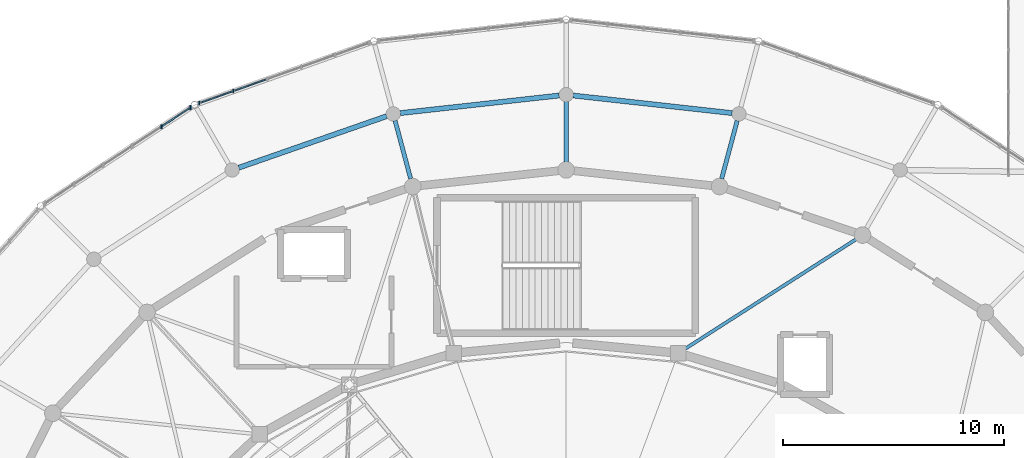
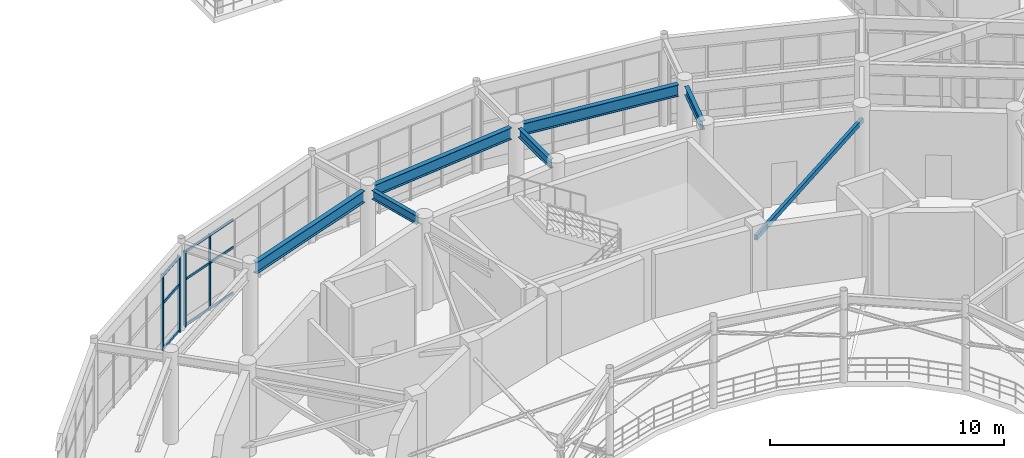
# One storey, part 42 of 144: 14 members, 6 beams, 2 elements without a shape of their own.
"""IFC4 building model written with IfcOpenShell, lengths in metres."""

import ifcopenshell
import ifcopenshell.guid

model = None  # the IFC model being written
_history = None  # IfcOwnerHistory: only IFC2X3 demands one
_inside = {}  # id of a spatial element -> (the spatial element, [elements in it])
_under = {}  # id of a project, library or spatial element -> (it, [spatial elements below it])
_declared = {}  # id of a project -> (the project, [libraries it declares])
_typed = {}  # id of a type object -> (the type object, [elements of that type])
_made_of = {}  # id of a material, layer set ... -> (it, [elements and type objects made of it])


def new_model(schema):
    """Start an empty IFC model of exactly this schema.

    Asked for "IFC4X3", IfcOpenShell would pick the latest addendum, in which some entities
    have other attributes; the version numbers below select the first issue.
    IFC2X3 requires an IfcOwnerHistory on every rooted entity: one is made here for all.
    """
    global model, _history
    if schema == "IFC4X3":
        model = ifcopenshell.file(schema_version=(4, 3, 0, 0))
    else:
        model = ifcopenshell.file(schema=schema)
    _inside.clear()
    _under.clear()
    _declared.clear()
    _typed.clear()
    _made_of.clear()
    _history = None
    if model.schema == "IFC2X3":
        org = make("IfcOrganization", Name="unknown")
        user = make(
            "IfcPersonAndOrganization",
            ThePerson=make("IfcPerson", FamilyName="unknown"),
            TheOrganization=org,
        )
        app = make(
            "IfcApplication",
            ApplicationDeveloper=org,
            Version="unknown",
            ApplicationFullName="unknown",
            ApplicationIdentifier="unknown",
        )
        _history = make(
            "IfcOwnerHistory",
            OwningUser=user,
            OwningApplication=app,
            ChangeAction="ADDED",
            CreationDate=0,
        )
    return model


def make(cls, **values):
    """One entity of the class cls with the attributes given. An attribute that is None is left unset."""
    return model.create_entity(
        cls, **{name: value for name, value in values.items() if value is not None}
    )


def rooted(cls, **values):
    """An entity with a GlobalId (a new one), such as an element, a storey or a relation."""
    return make(cls, GlobalId=ifcopenshell.guid.new(), OwnerHistory=_history, **values)


def si_unit(unit_type, name, prefix=None):
    """IfcSIUnit, for example si_unit("LENGTHUNIT", "METRE", prefix="MILLI")."""
    return make("IfcSIUnit", UnitType=unit_type, Prefix=prefix, Name=name)


def assignment(units):
    """IfcUnitAssignment: the units of a project."""
    return None if units is None else make("IfcUnitAssignment", Units=units)


def point(xyz):
    """IfcCartesianPoint."""
    return None if xyz is None else make("IfcCartesianPoint", Coordinates=xyz)


def direction(xyz):
    """IfcDirection."""
    return None if xyz is None else make("IfcDirection", DirectionRatios=xyz)


def frame(location, z_axis=None, x_axis=None):
    """IfcAxis2Placement3D, a coordinate frame: its origin and axes. An axis left out is left unset."""
    return make(
        "IfcAxis2Placement3D",
        Location=point(location),
        Axis=direction(z_axis),
        RefDirection=direction(x_axis),
    )


def frame_2d(location, x_axis=None):
    """IfcAxis2Placement2D, a coordinate frame in the plane: its origin and x axis."""
    return make(
        "IfcAxis2Placement2D", Location=point(location), RefDirection=direction(x_axis)
    )


def origin():
    """The frame at (0, 0, 0) with its axes left unset."""
    return frame((0.0, 0.0, 0.0))


def origin_2d():
    """The frame at (0, 0) in the plane with its x axis left unset."""
    return frame_2d((0.0, 0.0))


def place(relative_to, where):
    """IfcLocalPlacement: puts the frame where relative to a parent placement (None: the world)."""
    return make(
        "IfcLocalPlacement", PlacementRelTo=relative_to, RelativePlacement=where
    )


def context(
    kind, dimensions, precision=None, world=None, true_north=None, identifier=None
):
    """IfcGeometricRepresentationContext, for example the 3D "Model" context."""
    return make(
        "IfcGeometricRepresentationContext",
        ContextIdentifier=identifier,
        ContextType=kind,
        CoordinateSpaceDimension=dimensions,
        Precision=precision,
        WorldCoordinateSystem=world,
        TrueNorth=true_north,
    )


def subcontext(parent, identifier, kind, view, scale=None):
    """IfcGeometricRepresentationSubContext, for example "Body" below "Model"."""
    return make(
        "IfcGeometricRepresentationSubContext",
        ContextIdentifier=identifier,
        ContextType=kind,
        ParentContext=parent,
        TargetScale=scale,
        TargetView=view,
    )


def project(units=None, contexts=None):
    """IfcProject with its units and contexts."""
    return rooted(
        "IfcProject",
        Name="project",
        RepresentationContexts=contexts,
        UnitsInContext=assignment(units),
    )


def spatial(cls, under=None, at=None, **own):
    """A site, building, storey or space (cls), placed at a placement, below another one or the project."""
    s = rooted(cls, ObjectPlacement=at, **own)
    if under is not None:
        _under.setdefault(under.id(), (under, []))[1].append(s)
    return s


def profile(cls, at=None, kind="AREA", **sizes):
    """A parametric profile (cls). Its sizes go by their IFC names, for example OverallWidth=200.0."""
    return make(cls, ProfileType=kind, Position=at, **sizes)


def rectangle(**sizes):
    """IfcRectangleProfileDef."""
    return profile("IfcRectangleProfileDef", **sizes)


def hollow_rectangle(**sizes):
    """IfcRectangleHollowProfileDef."""
    return profile("IfcRectangleHollowProfileDef", **sizes)


def i_section(**sizes):
    """IfcIShapeProfileDef."""
    return profile("IfcIShapeProfileDef", **sizes)


def extrude(swept, where, along, depth):
    """IfcExtrudedAreaSolid: the profile swept, set in the frame where, extruded along a direction by depth."""
    return make(
        "IfcExtrudedAreaSolid",
        SweptArea=swept,
        Position=where,
        ExtrudedDirection=direction(along),
        Depth=depth,
    )


def shape(context_of_items, identifier, shape_type, items):
    """IfcShapeRepresentation: the items that make up one representation, for example the "Body"."""
    return make(
        "IfcShapeRepresentation",
        ContextOfItems=context_of_items,
        RepresentationIdentifier=identifier,
        RepresentationType=shape_type,
        Items=items,
    )


def material(Name=None, Category=None):
    """IfcMaterial."""
    return make("IfcMaterial", Name=Name, Category=Category)


def material_profile(
    of_material, cross_section, Name=None, Category=None, Priority=None
):
    """IfcMaterialProfile: a cross section and its material."""
    return make(
        "IfcMaterialProfile",
        Name=Name,
        Material=of_material,
        Profile=cross_section,
        Priority=Priority,
        Category=Category,
    )


def profile_set(profiles, Name=None, composite=None):
    """IfcMaterialProfileSet."""
    return make(
        "IfcMaterialProfileSet",
        Name=Name,
        MaterialProfiles=profiles,
        CompositeProfile=composite,
    )


def made_of(thing, what):
    """Note that an element or type object is made of a material, layer set ...; save() writes the relation."""
    if what is not None:
        _made_of.setdefault(what.id(), (what, []))[1].append(thing)
    return thing


def type_object(cls, material=None, **own):
    """A type object (cls), such as IfcWallType, which elements share."""
    return made_of(rooted(cls, **own), material)


def element(
    cls,
    number,
    at=None,
    inside=None,
    cuts=None,
    type_object=None,
    material=None,
    context=None,
    identifier="Body",
    shape_type=None,
    held_by="IfcProductDefinitionShape",
    body=None,
    shapes=None,
    **own,
):
    """One element of the class cls, such as IfcWall. Its Tag is "e" and its number.

    at: its placement. inside: the storey or other place that contains it. cuts: it is an
    opening in that element (IfcRelVoidsElement). A single representation is given by context,
    identifier, shape_type and body (its items); several are given by shapes. held_by: the class
    of the entity that holds the representations. save() writes the other relations.
    """
    e = rooted(cls, Tag="e%d" % number, ObjectPlacement=at, **own)
    if body is not None:
        shapes = [shape(context, identifier, shape_type, body)]
    if shapes is not None:
        e.Representation = make(held_by, Representations=shapes)
    if inside is not None:
        _inside.setdefault(inside.id(), (inside, []))[1].append(e)
    if cuts is not None:
        rooted(
            "IfcRelVoidsElement", RelatingBuildingElement=cuts, RelatedOpeningElement=e
        )
    if type_object is not None:
        _typed.setdefault(type_object.id(), (type_object, []))[1].append(e)
    return made_of(e, material)


def aggregate(whole, parts):
    """IfcRelAggregates: a whole, such as a stair, and the parts it consists of."""
    return rooted("IfcRelAggregates", RelatingObject=whole, RelatedObjects=parts)


def save(model, path):
    """Write the relations noted so far, then the file.

    IfcRelAggregates (storeys below a building ...), IfcRelContainedInSpatialStructure (elements
    in a storey), IfcRelDefinesByType, IfcRelAssociatesMaterial and IfcRelDeclares: one each for
    every whole, place, type object, material and project.
    """
    for whole, parts in _under.values():
        aggregate(whole, parts)
    for where, things in _inside.values():
        rooted(
            "IfcRelContainedInSpatialStructure",
            RelatedElements=things,
            RelatingStructure=where,
        )
    for kind, things in _typed.values():
        rooted("IfcRelDefinesByType", RelatedObjects=things, RelatingType=kind)
    for what, things in _made_of.values():
        rooted("IfcRelAssociatesMaterial", RelatedObjects=things, RelatingMaterial=what)
    for by, libraries in _declared.values():
        rooted("IfcRelDeclares", RelatingContext=by, RelatedDefinitions=libraries)
    model.write(path)


model = new_model("IFC4")

# Units and contexts
model_context = context("Model", 3, precision=1e-05, world=origin(), true_north=direction((0.0, 1.0)))
body_context = subcontext(model_context, "Body", "Model", "MODEL_VIEW")
ifc_project = project(units=[si_unit("LENGTHUNIT", "METRE"), si_unit("AREAUNIT", "SQUARE_METRE"), si_unit("VOLUMEUNIT", "CUBIC_METRE"), si_unit("PLANEANGLEUNIT", "RADIAN"), si_unit("MASSUNIT", "GRAM", prefix="KILO")], contexts=[model_context])

# Site, building, storey
site_placement = place(None, origin())
site = spatial("IfcSite", under=ifc_project, at=site_placement, CompositionType="ELEMENT")
building_placement = place(site_placement, origin())
building = spatial("IfcBuilding", under=site, at=building_placement, Name="Cinderbank Siding Concert Hall", CompositionType="ELEMENT")
storey_placement = place(building_placement, frame((0.0, 0.0, 5.39990234375)))
storey = spatial("IfcBuildingStorey", under=building, at=storey_placement, Name="L02", CompositionType="ELEMENT", Elevation=5.39990234375)

# Beams
ifc_material_1 = material(Name="Structural steel AS/NZS 3679.1 Grade 350 (340 MPa)", Category="steel")
ifc_material_profile_1 = material_profile(ifc_material_1, i_section(OverallWidth=0.19091796875, OverallDepth=0.46044921875, WebThickness=0.010009765625, FlangeThickness=0.01611328125, at=origin_2d()), Name="460UB82.1", Category="LoadBearing")
ifc_profile_set_1 = profile_set([ifc_material_profile_1], Name="Structural steel AS/NZS 3679.1 Grade 350 (340 MPa)")
beam_type_1 = type_object("IfcBeamType", Name="BM-UB460H 460UB82.1", PredefinedType="BEAM", material=ifc_profile_set_1)
beam_1_placement = place(storey_placement, frame((129.031494140625, 65.60498046875, 4.2919921875), z_axis=(0.258809477387, 0.9659283899, 0.0), x_axis=(-0.9659283899, 0.258809477387, 0.0)))
element("IfcBeam", 1, at=beam_1_placement, inside=storey, type_object=beam_type_1, Name="L02 Beam BM-UB460H #503", PredefinedType="BEAM", context=body_context, shape_type="SweptSolid", body=[
    extrude(i_section(OverallWidth=0.19091796875, OverallDepth=0.46044921875, WebThickness=0.010009765625, FlangeThickness=0.01611328125, at=origin_2d()), origin(), (0.0, 0.0, 1.0), 2.7158203125),
])
beam_2_placement = place(storey_placement, frame((122.0, 66.366943359375, 4.2919921875), z_axis=(0.0, 1.0, 0.0), x_axis=(-1.0, 0.0, 0.0)))
element("IfcBeam", 2, at=beam_2_placement, inside=storey, type_object=beam_type_1, Name="L02 Beam BM-UB460H #504", PredefinedType="BEAM", context=body_context, shape_type="SweptSolid", body=[
    extrude(i_section(OverallWidth=0.19091796875, OverallDepth=0.46044921875, WebThickness=0.010009765625, FlangeThickness=0.01611328125, at=origin_2d()), origin(), (0.0, 0.0, 1.0), 2.716064453125),
])
beam_3_placement = place(storey_placement, frame((114.968505859375, 65.60498046875, 4.2919921875), z_axis=(-0.258809477387, 0.9659283899, 0.0), x_axis=(-0.9659283899, -0.258809477387, 0.0)))
element("IfcBeam", 3, at=beam_3_placement, inside=storey, type_object=beam_type_1, Name="L02 Beam BM-UB460H #505", PredefinedType="BEAM", context=body_context, shape_type="SweptSolid", body=[
    extrude(i_section(OverallWidth=0.19091796875, OverallDepth=0.46044921875, WebThickness=0.010009765625, FlangeThickness=0.01611328125, at=origin_2d()), origin(), (0.0, 0.0, 1.0), 2.7158203125),
])
ifc_material_profile_2 = material_profile(ifc_material_1, i_section(OverallWidth=0.22802734375, OverallDepth=0.60693359375, WebThickness=0.01123046875, FlangeThickness=0.017333984375, at=origin_2d()), Name="610UB113", Category="LoadBearing")
ifc_profile_set_2 = profile_set([ifc_material_profile_2], Name="Structural steel AS/NZS 3679.1 Grade 350 (340 MPa)")
beam_type_2 = type_object("IfcBeamType", Name="BM-UB610M 610UB113", PredefinedType="BEAM", material=ifc_profile_set_2)
for number, where, z_axis, x_axis, name in (
    (4, (129.501220703125, 68.5693359375, 4.218505859375), (-0.993926077211, 0.110049775281, 0.0), (-0.110049775281, -0.993926077211, 0.0), "L02 Beam BM-UB610M #445"),
    (5, (121.684814453125, 69.364990234375, 4.218505859375), (-0.993926077211, -0.110049775281, 0.0), (0.110049775281, -0.993926077211, 0.0), "L02 Beam BM-UB610M #446"),
):
    element("IfcBeam", number, at=place(storey_placement, frame(where, z_axis=z_axis, x_axis=x_axis)), inside=storey, type_object=beam_type_2, Name=name, PredefinedType="BEAM", context=body_context, shape_type="SweptSolid", body=[
        extrude(i_section(OverallWidth=0.22802734375, OverallDepth=0.60693359375, WebThickness=0.01123046875, FlangeThickness=0.017333984375, at=origin_2d()), origin(), (0.0, 0.0, 1.0), 7.22998046875),
    ])
beam_4_placement = place(storey_placement, frame((113.88427734375, 68.43017578125, 4.218505859375), z_axis=(-0.944334299593, -0.328987432301, 0.0), x_axis=(0.328987432301, -0.944334299593, 0.0)))
element("IfcBeam", 6, at=beam_4_placement, inside=storey, type_object=beam_type_2, Name="L02 Beam BM-UB610M #447", PredefinedType="BEAM", context=body_context, shape_type="SweptSolid", body=[
    extrude(i_section(OverallWidth=0.22802734375, OverallDepth=0.60693359375, WebThickness=0.01123046875, FlangeThickness=0.017333984375, at=origin_2d()), origin(), (0.0, 0.0, 1.0), 7.078857421875),
])

# Curtain wall, members
ifc_material_2 = material(Name="Anodised aluminium alloy 6063-T6", Category="aluminium")
curtain_wall_type_1 = type_object("IfcCurtainWallType", Name="CW-08 Unitised Acoustic Curtain Wall 6400x3800", PredefinedType="NOTDEFINED", material=ifc_material_2)
curtain_wall_1_placement = place(storey_placement, origin())
curtain_wall_1 = element("IfcCurtainWall", 7, at=curtain_wall_1_placement, inside=storey, type_object=curtain_wall_type_1, Name="L02 Curtain Wall CW-08 #8", PredefinedType="NOTDEFINED")
ifc_material_profile_3 = material_profile(ifc_material_2, rectangle(XDim=0.06005859375, YDim=0.159912109375, at=origin_2d()), Name="ALU-MULL-60x160", Category="LoadBearing")
ifc_profile_set_3 = profile_set([ifc_material_profile_3], Name="Anodised aluminium alloy 6063-T6")
member_type_1 = type_object("IfcMemberType", Name="CW-ML1 Mullion 60x160", PredefinedType="MULLION", material=ifc_profile_set_3)
member_1_placement = place(storey_placement, frame((106.94921875, 69.5625, 0.0), z_axis=(0.0, 0.0, 1.0), x_axis=(1.0, 0.0, 0.0)))
member_1 = element("IfcMember", 8, at=member_1_placement, type_object=member_type_1, Name="CW-L02-008 Mullion 4", PredefinedType="MULLION", context=body_context, shape_type="SweptSolid", body=[
    extrude(rectangle(XDim=0.06005859375, YDim=0.159912109375, at=origin_2d()), origin(), (0.0, 0.0, 1.0), 3.947021484375),
])
member_2_placement = place(storey_placement, frame((105.413818359375, 69.017333984375, 0.0), z_axis=(0.0, 0.0, 1.0), x_axis=(1.0, 0.0, 0.0)))
member_2 = element("IfcMember", 9, at=member_2_placement, type_object=member_type_1, Name="CW-L02-008 Mullion 5", PredefinedType="MULLION", context=body_context, shape_type="SweptSolid", body=[
    extrude(rectangle(XDim=0.06005859375, YDim=0.159912109375, at=origin_2d()), origin(), (0.0, 0.0, 1.0), 3.947021484375),
])

curtain_wall_type_2 = type_object("IfcCurtainWallType", Name="CW-09 Unitised Acoustic Curtain Wall 8000x3500", PredefinedType="NOTDEFINED", material=ifc_material_2)
curtain_wall_2_placement = place(storey_placement, origin())
curtain_wall_2 = element("IfcCurtainWall", 10, at=curtain_wall_2_placement, inside=storey, type_object=curtain_wall_type_2, Name="L02 Curtain Wall CW-09 #9", PredefinedType="NOTDEFINED")
ifc_material_profile_4 = material_profile(ifc_material_2, rectangle(XDim=0.06494140625, YDim=0.199951171875, at=origin_2d()), Name="ALU-MULL-65x200", Category="LoadBearing")
ifc_profile_set_4 = profile_set([ifc_material_profile_4], Name="Anodised aluminium alloy 6063-T6")
member_type_2 = type_object("IfcMemberType", Name="CW-ML2 Mullion 65x200", PredefinedType="MULLION", material=ifc_profile_set_4)
member_3_placement = place(storey_placement, frame((105.010498046875, 68.81689453125, 0.0), z_axis=(0.0, 0.0, 1.0), x_axis=(1.0, 0.0, 0.0)))
member_3 = element("IfcMember", 11, at=member_3_placement, type_object=member_type_2, Name="CW-L02-009 Mullion 0", PredefinedType="MULLION", context=body_context, shape_type="SweptSolid", body=[
    extrude(rectangle(XDim=0.06494140625, YDim=0.199951171875, at=origin_2d()), origin(), (0.0, 0.0, 1.0), 3.947021484375),
])
member_4_placement = place(storey_placement, frame((103.694580078125, 67.951416015625, 0.0), z_axis=(0.0, 0.0, 1.0), x_axis=(1.0, 0.0, 0.0)))
member_4 = element("IfcMember", 12, at=member_4_placement, type_object=member_type_2, Name="CW-L02-009 Mullion 1", PredefinedType="MULLION", context=body_context, shape_type="SweptSolid", body=[
    extrude(rectangle(XDim=0.06494140625, YDim=0.199951171875, at=origin_2d()), origin(), (0.0, 0.0, 1.0), 3.947021484375),
])

# Member
ifc_material_profile_5 = material_profile(ifc_material_2, rectangle(XDim=0.06005859375, YDim=0.1201171875, at=origin_2d()), Name="ALU-TRAN-60x120", Category="LoadBearing")
ifc_profile_set_5 = profile_set([ifc_material_profile_5], Name="Anodised aluminium alloy 6063-T6")
member_type_3 = type_object("IfcMemberType", Name="CW-TR1 Transom 60x120", PredefinedType="USERDEFINED", material=ifc_profile_set_5)
member_5_placement = place(storey_placement, frame((108.407470703125, 70.080322265625, 0.06005859375), z_axis=(-0.942376945381, -0.334552974602, 0.0), x_axis=(0.334552974602, -0.942376945381, 0.0)))
member_5 = element("IfcMember", 13, at=member_5_placement, type_object=member_type_3, Name="CW-L02-008 Transom 3-0", ObjectType="TRANSOM", PredefinedType="USERDEFINED", context=body_context, shape_type="SweptSolid", body=[
    extrude(rectangle(XDim=0.06005859375, YDim=0.1201171875, at=origin_2d()), origin(), (0.0, 0.0, 1.0), 1.466064453125),
])

member_6_placement = place(storey_placement, frame((108.407470703125, 70.080322265625, 2.447265625), z_axis=(-0.942376945381, -0.334552974602, 0.0), x_axis=(0.334552974602, -0.942376945381, 0.0)))
member_6 = element("IfcMember", 14, at=member_6_placement, type_object=member_type_3, Name="CW-L02-008 Transom 3-1", ObjectType="TRANSOM", PredefinedType="USERDEFINED", context=body_context, shape_type="SweptSolid", body=[
    extrude(rectangle(XDim=0.06005859375, YDim=0.1201171875, at=origin_2d()), origin(), (0.0, 0.0, 1.0), 1.466064453125),
])

member_7_placement = place(storey_placement, frame((108.407470703125, 70.080322265625, 3.88720703125), z_axis=(-0.942376945381, -0.334552974602, 0.0), x_axis=(0.334552974602, -0.942376945381, 0.0)))
member_7 = element("IfcMember", 15, at=member_7_placement, type_object=member_type_3, Name="CW-L02-008 Transom 3-2", ObjectType="TRANSOM", PredefinedType="USERDEFINED", context=body_context, shape_type="SweptSolid", body=[
    extrude(rectangle(XDim=0.06005859375, YDim=0.1201171875, at=origin_2d()), origin(), (0.0, 0.0, 1.0), 1.466064453125),
])

member_8_placement = place(storey_placement, frame((106.872314453125, 69.53515625, 0.06005859375), z_axis=(-0.942395579657, -0.334500480482, 0.0), x_axis=(0.334500480482, -0.942395579657, 0.0)))
member_8 = element("IfcMember", 16, at=member_8_placement, type_object=member_type_3, Name="CW-L02-008 Transom 4-0", ObjectType="TRANSOM", PredefinedType="USERDEFINED", context=body_context, shape_type="SweptSolid", body=[
    extrude(rectangle(XDim=0.06005859375, YDim=0.1201171875, at=origin_2d()), origin(), (0.0, 0.0, 1.0), 1.46630859375),
])

member_9_placement = place(storey_placement, frame((106.872314453125, 69.53515625, 2.447265625), z_axis=(-0.942395579657, -0.334500480482, 0.0), x_axis=(0.334500480482, -0.942395579657, 0.0)))
member_9 = element("IfcMember", 17, at=member_9_placement, type_object=member_type_3, Name="CW-L02-008 Transom 4-1", ObjectType="TRANSOM", PredefinedType="USERDEFINED", context=body_context, shape_type="SweptSolid", body=[
    extrude(rectangle(XDim=0.06005859375, YDim=0.1201171875, at=origin_2d()), origin(), (0.0, 0.0, 1.0), 1.46630859375),
])

member_10_placement = place(storey_placement, frame((106.872314453125, 69.53515625, 3.88720703125), z_axis=(-0.942395579657, -0.334500480482, 0.0), x_axis=(0.334500480482, -0.942395579657, 0.0)))
member_10 = element("IfcMember", 18, at=member_10_placement, type_object=member_type_3, Name="CW-L02-008 Transom 4-2", ObjectType="TRANSOM", PredefinedType="USERDEFINED", context=body_context, shape_type="SweptSolid", body=[
    extrude(rectangle(XDim=0.06005859375, YDim=0.1201171875, at=origin_2d()), origin(), (0.0, 0.0, 1.0), 1.46630859375),
])

aggregate(curtain_wall_1, [member_1, member_2, member_5, member_6, member_7, member_8, member_9, member_10])

ifc_material_profile_6 = material_profile(ifc_material_2, rectangle(XDim=0.06494140625, YDim=0.14990234375, at=origin_2d()), Name="ALU-TRAN-65x150", Category="LoadBearing")
ifc_profile_set_6 = profile_set([ifc_material_profile_6], Name="Anodised aluminium alloy 6063-T6")
member_type_4 = type_object("IfcMemberType", Name="CW-TR2 Transom 65x150", PredefinedType="USERDEFINED", material=ifc_profile_set_6)
member_11_placement = place(storey_placement, frame((104.944580078125, 68.7734375, 0.06005859375), z_axis=(-0.835531529407, -0.549442502331, 0.0), x_axis=(0.549442502331, -0.835531529407, 0.0)))
member_11 = element("IfcMember", 19, at=member_11_placement, type_object=member_type_4, Name="CW-L02-009 Transom 0-0", ObjectType="TRANSOM", PredefinedType="USERDEFINED", context=body_context, shape_type="SweptSolid", body=[
    extrude(rectangle(XDim=0.06494140625, YDim=0.14990234375, at=origin_2d()), origin(), (0.0, 0.0, 1.0), 1.41748046875),
])

member_12_placement = place(storey_placement, frame((104.944580078125, 68.7734375, 2.447265625), z_axis=(-0.835531529407, -0.549442502331, 0.0), x_axis=(0.549442502331, -0.835531529407, 0.0)))
member_12 = element("IfcMember", 20, at=member_12_placement, type_object=member_type_4, Name="CW-L02-009 Transom 0-1", ObjectType="TRANSOM", PredefinedType="USERDEFINED", context=body_context, shape_type="SweptSolid", body=[
    extrude(rectangle(XDim=0.06494140625, YDim=0.14990234375, at=origin_2d()), origin(), (0.0, 0.0, 1.0), 1.41748046875),
])

member_13_placement = place(storey_placement, frame((104.944580078125, 68.7734375, 3.88720703125), z_axis=(-0.835531529407, -0.549442502331, 0.0), x_axis=(0.549442502331, -0.835531529407, 0.0)))
member_13 = element("IfcMember", 21, at=member_13_placement, type_object=member_type_4, Name="CW-L02-009 Transom 0-2", ObjectType="TRANSOM", PredefinedType="USERDEFINED", context=body_context, shape_type="SweptSolid", body=[
    extrude(rectangle(XDim=0.06494140625, YDim=0.14990234375, at=origin_2d()), origin(), (0.0, 0.0, 1.0), 1.41748046875),
])

aggregate(curtain_wall_2, [member_3, member_4, member_11, member_12, member_13])

ifc_material_3 = material(Name="Structural steel hollow section AS/NZS 1163 Grade C350L0 (350 MPa)", Category="steel")
ifc_material_profile_7 = material_profile(ifc_material_3, hollow_rectangle(XDim=0.14990234375, YDim=0.25, WallThickness=0.009033203125, at=origin_2d()), Name="250x150x9.0RHS", Category="LoadBearing")
ifc_profile_set_7 = profile_set([ifc_material_profile_7], Name="Structural steel hollow section AS/NZS 1163 Grade C350L0 (350 MPa)")
member_type_5 = type_object("IfcMemberType", Name="TR-RHS250 250x150x9.0RHS Roof Truss", PredefinedType="RAFTER", material=ifc_profile_set_7)
member_14_placement = place(storey_placement, frame((127.072998046875, 57.716064453125, 3.900146484375), z_axis=(0.841940386591, 0.539570556487, 0.0), x_axis=(-0.539570556487, 0.841940386591, 0.0)))
element("IfcMember", 22, at=member_14_placement, inside=storey, type_object=member_type_5, Name="L02 Roof Truss Member TR-RHS250 #2212", PredefinedType="RAFTER", context=body_context, shape_type="SweptSolid", body=[
    extrude(hollow_rectangle(XDim=0.14990234375, YDim=0.25, WallThickness=0.009033203125, at=origin_2d()), origin(), (0.0, 0.0, 1.0), 9.89013671875),
])

save(model, "model.ifc")
